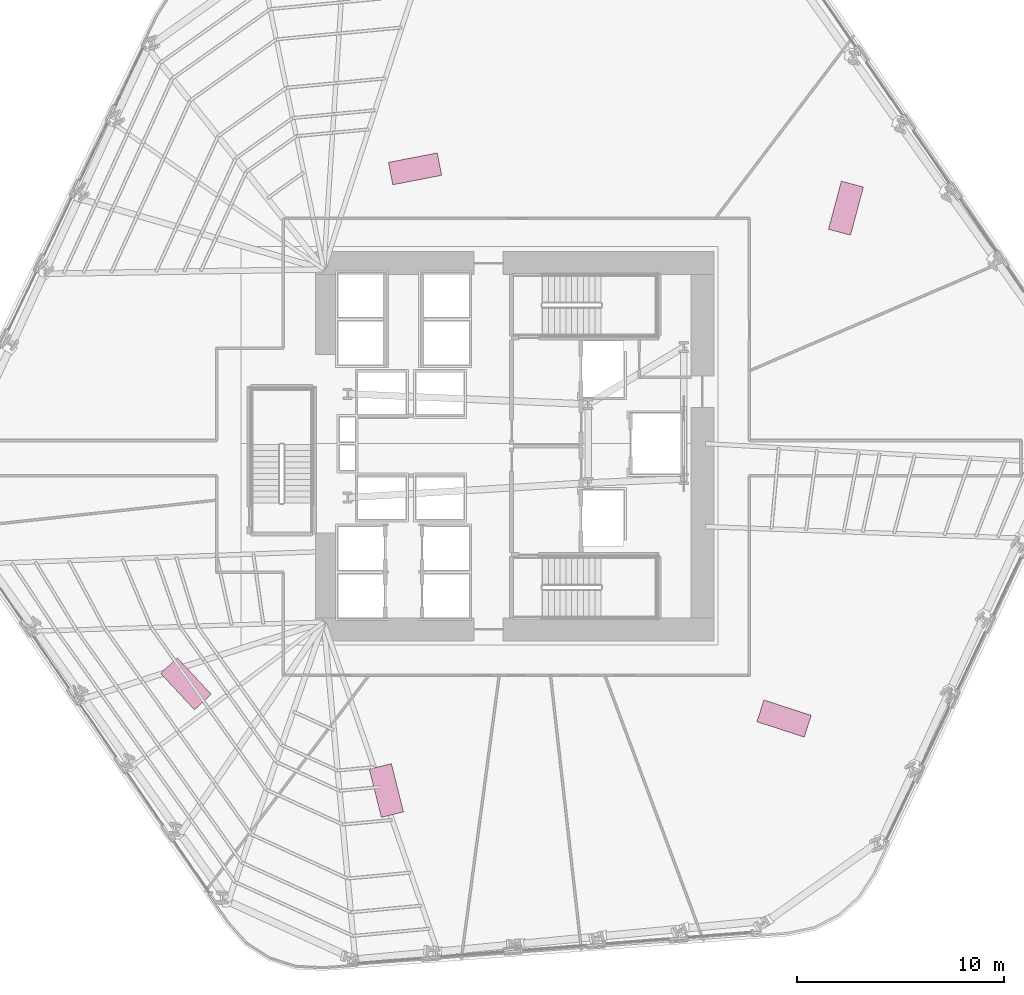
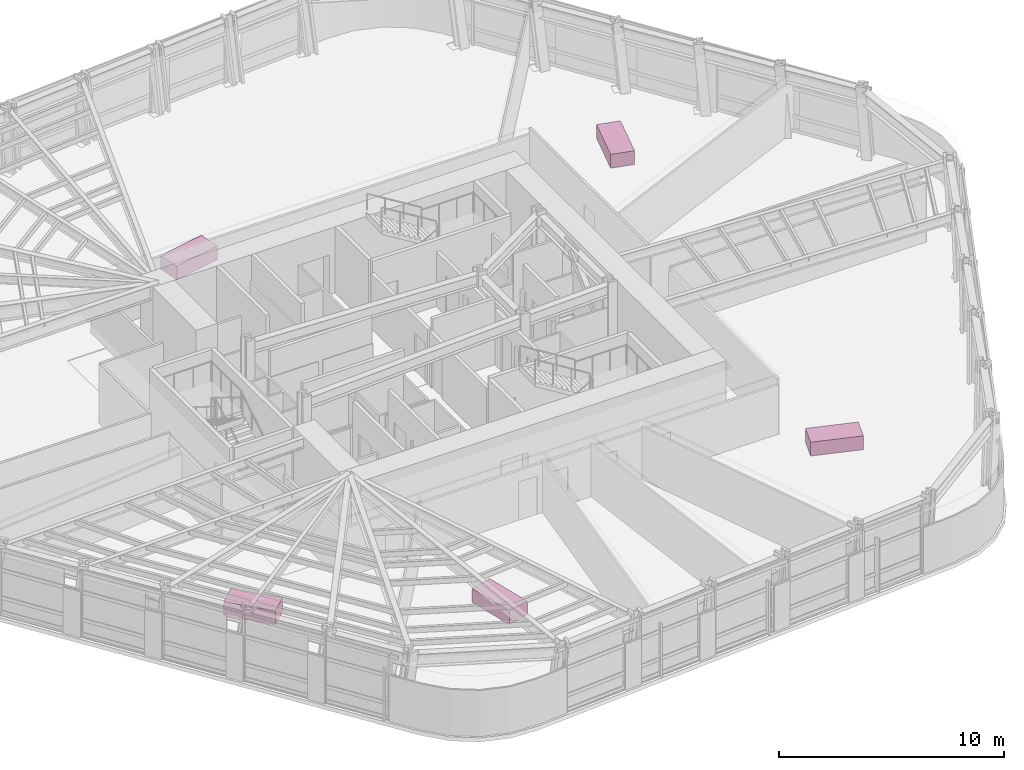
# One storey, part 15 of 15: 5 furniture elements.
"""IFC4 building model written with IfcOpenShell, lengths in metres."""

from ifc_helpers import new_model, si_unit, direction, frame, origin, origin_2d, place, context, subcontext, project, spatial, rectangle, extrude, material, type_object, element, save


model = new_model("IFC4")

# Units and contexts
model_context = context("Model", 3, precision=1e-05, world=origin(), true_north=direction((0.0, 1.0)))
body_context = subcontext(model_context, "Body", "Model", "MODEL_VIEW")
ifc_project = project(units=[si_unit("LENGTHUNIT", "METRE"), si_unit("AREAUNIT", "SQUARE_METRE"), si_unit("VOLUMEUNIT", "CUBIC_METRE"), si_unit("PLANEANGLEUNIT", "RADIAN"), si_unit("MASSUNIT", "GRAM", prefix="KILO")], contexts=[model_context])

# Site, building, storey
site_placement = place(None, origin())
site = spatial("IfcSite", under=ifc_project, at=site_placement, CompositionType="ELEMENT")
building_placement = place(site_placement, origin())
building = spatial("IfcBuilding", under=site, at=building_placement, Name="Valkerne Bourse Tower", CompositionType="ELEMENT")
storey_placement = place(building_placement, frame((0.0, 0.0, 43.0)))
storey = spatial("IfcBuildingStorey", under=building, at=storey_placement, Name="L10", CompositionType="ELEMENT", Elevation=43.0)

# Furniture
ifc_material = material(Name="Architectural White Oak Timber", Category="wood")
furniture_type = type_object("IfcFurnitureType", Name="FURN-DESK-2400", AssemblyPlace="NOTDEFINED", PredefinedType="DESK", material=ifc_material)
for number, where, z_axis, x_axis, name in (
    (1, (62.76806640625, 38.35009765625, 0.044921875), (0.0, 0.0, 1.0), (0.258819045103, 0.965925826289, 0.0), "L10 Suite Worktable 05"),
    (2, (40.617919921875, 10.281982421875, 0.044921875), (0.0, 0.0, 1.0), (-0.2419218956, 0.970295726276, 0.0), "L10 Suite Worktable 06"),
    (3, (30.955078125, 15.423095703125, 0.044921875), (0.0, 0.0, 1.0), (-0.681998360062, 0.731353701619, 0.0), "L10 Suite Worktable 07"),
    (4, (59.784912109375, 13.7509765625, 0.044921875), (0.0, 0.0, 1.0), (-0.951056516295, 0.309016994375, 0.0), "L10 Suite Worktable 08"),
    (5, (41.9990234375, 40.243896484375, 0.044921875), (0.0, 0.0, 1.0), (0.981627183448, 0.190808995377, 0.0), "L10 Suite Worktable 09"),
):
    element("IfcFurniture", number, at=place(storey_placement, frame(where, z_axis=z_axis, x_axis=x_axis)), inside=storey, type_object=furniture_type, Name=name, PredefinedType="DESK", context=body_context, shape_type="SweptSolid", body=[
        extrude(rectangle(XDim=2.39990234375, YDim=1.10009765625, at=origin_2d()), origin(), (0.0, 0.0, 1.0), 0.75),
    ])

save(model, "model.ifc")
